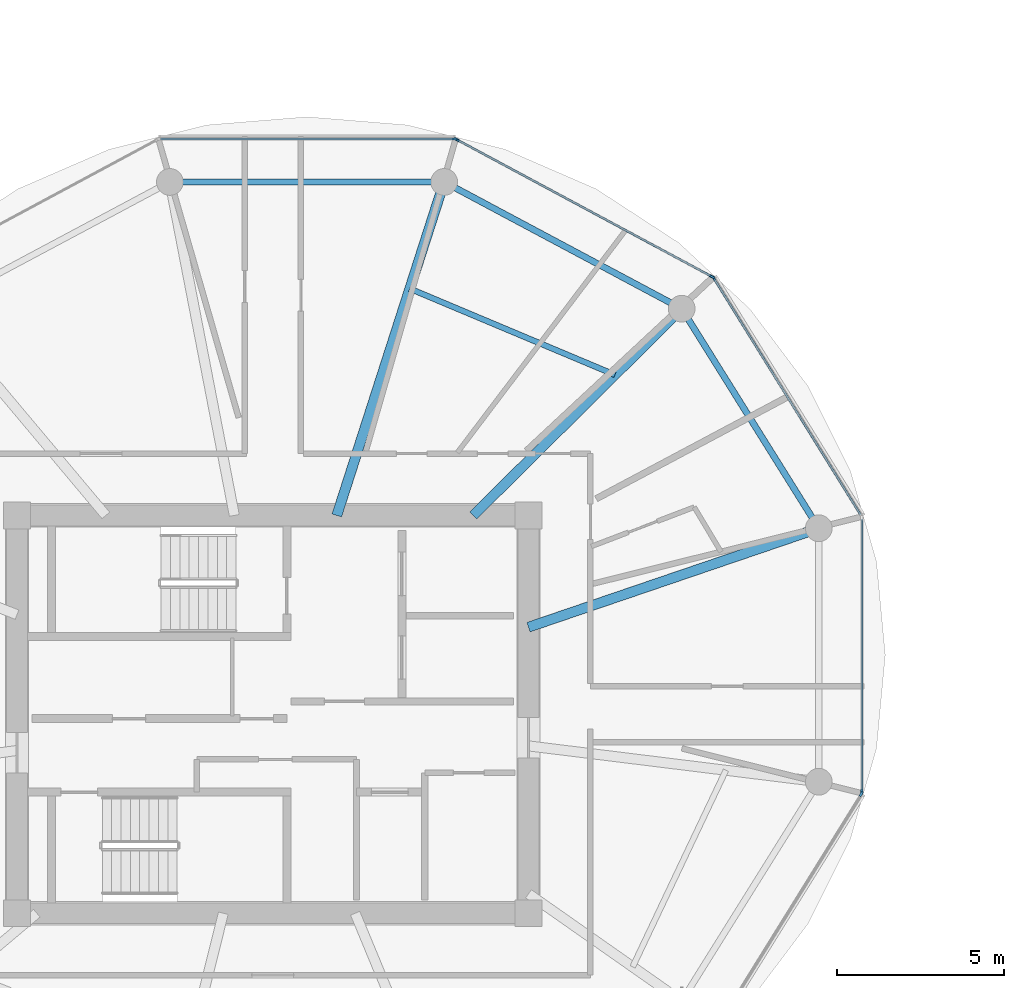
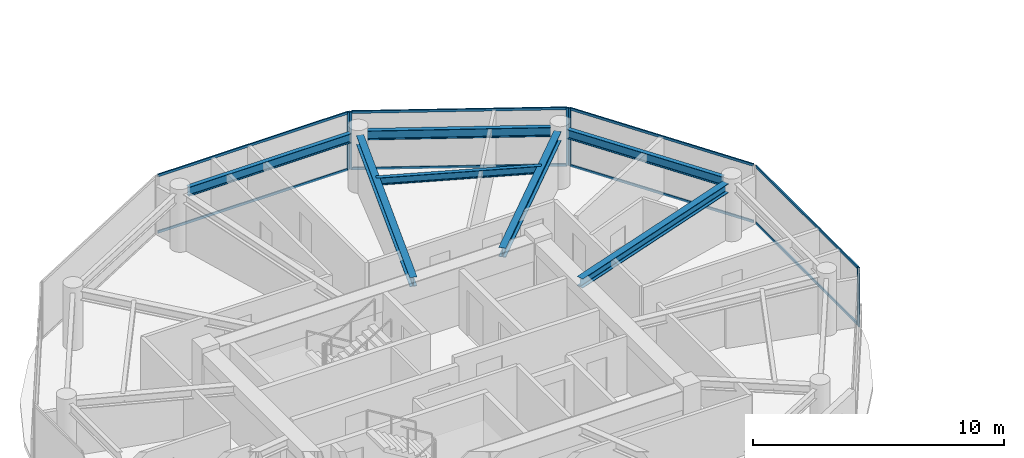
# One storey, part 5 of 23: 14 members, 7 beams, 5 elements without a shape of their own.
"""IFC4 building model written with IfcOpenShell, lengths in metres."""

from ifc_helpers import new_model, si_unit, direction, frame, origin, origin_2d, place, context, subcontext, project, spatial, rectangle, i_section, extrude, source, transform, mapped, material, layer, layer_set, material_profile, profile_set, type_object, type_shapes, element, aggregate, save


model = new_model("IFC4")

# Units and contexts
model_context = context("Model", 3, precision=1e-05, world=origin(), true_north=direction((0.0, 1.0)))
body_context = subcontext(model_context, "Body", "Model", "MODEL_VIEW")
ifc_project = project(units=[si_unit("LENGTHUNIT", "METRE"), si_unit("AREAUNIT", "SQUARE_METRE"), si_unit("VOLUMEUNIT", "CUBIC_METRE"), si_unit("PLANEANGLEUNIT", "RADIAN"), si_unit("MASSUNIT", "GRAM", prefix="KILO")], contexts=[model_context])

# Site, building, storey
site_placement = place(None, origin())
site = spatial("IfcSite", under=ifc_project, at=site_placement, CompositionType="ELEMENT")
building_placement = place(site_placement, origin())
building = spatial("IfcBuilding", under=site, at=building_placement, Name="Norrkilde Senior Care Towers", CompositionType="ELEMENT")
storey_placement = place(building_placement, frame((0.0, 0.0, 173.949951171875)))
storey = spatial("IfcBuildingStorey", under=building, at=storey_placement, Name="L54", CompositionType="ELEMENT", Elevation=173.949951171875)

# Beams
ifc_material_1 = material(Name="Steel S355", Category="steel")
ifc_material_profile_1 = material_profile(ifc_material_1, i_section(OverallWidth=0.18994140625, OverallDepth=0.449951171875, WebThickness=0.009521484375, FlangeThickness=0.0146484375, FilletRadius=0.02099609375, at=origin_2d()), Name="IPE 450")
ifc_profile_set_1 = profile_set([ifc_material_profile_1], Name="Steel S355")
beam_type_1 = type_object("IfcBeamType", Name="Perimeter Ring Spandrel Z3 IPE450", PredefinedType="SPANDREL", material=ifc_profile_set_1)
shared_shape_1 = source(origin(), body_context, "Body", "SweptSolid", [
    extrude(i_section(OverallWidth=0.18994140625, OverallDepth=0.449951171875, WebThickness=0.009521484375, FlangeThickness=0.0146484375, FilletRadius=0.02099609375, at=origin_2d()), origin(), (0.0, 0.0, 1.0), 7.0234375),
])
beam_1_placement = place(storey_placement, frame((-11.855712890625, 5.872314453125, 2.5849609375), z_axis=(-0.529789577822, 0.848129119433, 0.0), x_axis=(-0.848129119433, -0.529789577822, 0.0)))
element("IfcBeam", 1, at=beam_1_placement, inside=storey, type_object=beam_type_1, Name="L54 Drum W Perimeter Spandrel 01", PredefinedType="SPANDREL", context=body_context, shape_type="MappedRepresentation", body=[
    mapped(shared_shape_1, transform((0.0, 0.0, 0.0), x_axis=(1.0, 0.0, 0.0), y_axis=(0.0, 1.0, 0.0), z_axis=(0.0, 0.0, 1.0), scale=1.0)),
])
ifc_material_profile_2 = material_profile(ifc_material_1, i_section(OverallWidth=0.300048828125, OverallDepth=0.449951171875, WebThickness=0.013916015625, FlangeThickness=0.02587890625, FilletRadius=0.027099609375, at=origin_2d()), Name="HEB 450")
ifc_profile_set_2 = profile_set([ifc_material_profile_2], Name="Steel S355")
beam_type_2 = type_object("IfcBeamType", Name="Radial Floor Beam Z3 HEB450", PredefinedType="BEAM", material=ifc_profile_set_2)
shared_shape_2 = source(origin(), body_context, "Body", "SweptSolid", [
    extrude(i_section(OverallWidth=0.300048828125, OverallDepth=0.449951171875, WebThickness=0.013916015625, FlangeThickness=0.02587890625, FilletRadius=0.027099609375, at=origin_2d()), origin(), (0.0, 0.0, 1.0), 8.8154296875),
])
beam_2_placement = place(storey_placement, frame((-20.35009765625, 2.607177734375, 2.5849609375), z_axis=(0.946540556878, 0.322584832539, 0.0), x_axis=(-0.322584832539, 0.946540556878, 0.0)))
element("IfcBeam", 2, at=beam_2_placement, inside=storey, type_object=beam_type_2, Name="L54 Drum W Radial Floor Beam 01", PredefinedType="BEAM", context=body_context, shape_type="MappedRepresentation", body=[
    mapped(shared_shape_2, transform((0.0, 0.0, 0.0), x_axis=(1.0, 0.0, 0.0), y_axis=(0.0, 1.0, 0.0), z_axis=(0.0, 0.0, 1.0), scale=1.0)),
])
shared_shape_3 = source(origin(), body_context, "Body", "SweptSolid", [
    extrude(i_section(OverallWidth=0.18994140625, OverallDepth=0.449951171875, WebThickness=0.009521484375, FlangeThickness=0.0146484375, FilletRadius=0.02099609375, at=origin_2d()), origin(), (0.0, 0.0, 1.0), 7.333740234375),
])
beam_3_placement = place(storey_placement, frame((-16.0849609375, 12.303955078125, 2.5849609375), z_axis=(-0.882247866069, 0.470785198172, 0.0), x_axis=(-0.470785198172, -0.882247866069, 0.0)))
element("IfcBeam", 3, at=beam_3_placement, inside=storey, type_object=beam_type_1, Name="L54 Drum W Perimeter Spandrel 02", PredefinedType="SPANDREL", context=body_context, shape_type="MappedRepresentation", body=[
    mapped(shared_shape_3, transform((0.0, 0.0, 0.0), x_axis=(1.0, 0.0, 0.0), y_axis=(0.0, 1.0, 0.0), z_axis=(0.0, 0.0, 1.0), scale=1.0)),
])
shared_shape_4 = source(origin(), body_context, "Body", "SweptSolid", [
    extrude(i_section(OverallWidth=0.300048828125, OverallDepth=0.449951171875, WebThickness=0.013916015625, FlangeThickness=0.02587890625, FilletRadius=0.027099609375, at=origin_2d()), origin(), (0.0, 0.0, 1.0), 8.421630859375),
])
beam_4_placement = place(storey_placement, frame((-22.001953125, 5.949951171875, 2.5849609375), z_axis=(0.709956495972, 0.704245535184, 0.0), x_axis=(-0.704245535184, 0.709956495972, 0.0)))
element("IfcBeam", 4, at=beam_4_placement, inside=storey, type_object=beam_type_2, Name="L54 Drum W Radial Floor Beam 02", PredefinedType="BEAM", context=body_context, shape_type="MappedRepresentation", body=[
    mapped(shared_shape_4, transform((0.0, 0.0, 0.0), x_axis=(1.0, 0.0, 0.0), y_axis=(0.0, 1.0, 0.0), z_axis=(0.0, 0.0, 1.0), scale=1.0)),
])
shared_shape_5 = source(origin(), body_context, "Body", "SweptSolid", [
    extrude(i_section(OverallWidth=0.18994140625, OverallDepth=0.449951171875, WebThickness=0.009521484375, FlangeThickness=0.0146484375, FilletRadius=0.02099609375, at=origin_2d()), origin(), (0.0, 0.0, 1.0), 7.484619140625),
])
type_shapes(beam_type_1, [shared_shape_1, shared_shape_3, shared_shape_5])
beam_5_placement = place(storey_placement, frame((-23.232666015625, 15.92626953125, 2.5849609375), z_axis=(-1.0, 0.0, 0.0), x_axis=(0.0, -1.0, 0.0)))
element("IfcBeam", 5, at=beam_5_placement, inside=storey, type_object=beam_type_1, Name="L54 Drum W Perimeter Spandrel 03", PredefinedType="SPANDREL", context=body_context, shape_type="MappedRepresentation", body=[
    mapped(shared_shape_5, transform((0.0, 0.0, 0.0), x_axis=(1.0, 0.0, 0.0), y_axis=(0.0, 1.0, 0.0), z_axis=(0.0, 0.0, 1.0), scale=1.0)),
])
shared_shape_6 = source(origin(), body_context, "Body", "SweptSolid", [
    extrude(i_section(OverallWidth=0.300048828125, OverallDepth=0.449951171875, WebThickness=0.013916015625, FlangeThickness=0.02587890625, FilletRadius=0.027099609375, at=origin_2d()), origin(), (0.0, 0.0, 1.0), 10.120361328125),
])
type_shapes(beam_type_2, [shared_shape_2, shared_shape_4, shared_shape_6])
beam_6_placement = place(storey_placement, frame((-26.08447265625, 5.949951171875, 2.5849609375), z_axis=(0.306440973744, 0.951889662519, 0.0), x_axis=(-0.951889662519, 0.306440973744, 0.0)))
element("IfcBeam", 6, at=beam_6_placement, inside=storey, type_object=beam_type_2, Name="L54 Drum W Radial Floor Beam 03", PredefinedType="BEAM", context=body_context, shape_type="MappedRepresentation", body=[
    mapped(shared_shape_6, transform((0.0, 0.0, 0.0), x_axis=(1.0, 0.0, 0.0), y_axis=(0.0, 1.0, 0.0), z_axis=(0.0, 0.0, 1.0), scale=1.0)),
])
ifc_material_profile_3 = material_profile(ifc_material_1, i_section(OverallWidth=0.169921875, OverallDepth=0.360107421875, WebThickness=0.008056640625, FlangeThickness=0.0126953125, FilletRadius=0.01806640625, at=origin_2d()), Name="IPE 360")
ifc_profile_set_3 = profile_set([ifc_material_profile_3], Name="Steel S355")
beam_type_3 = type_object("IfcBeamType", Name="Secondary Floor Joist IPE360", PredefinedType="JOIST", material=ifc_profile_set_3)
shared_shape_7 = source(origin(), body_context, "Body", "SweptSolid", [
    extrude(i_section(OverallWidth=0.169921875, OverallDepth=0.360107421875, WebThickness=0.008056640625, FlangeThickness=0.0126953125, FilletRadius=0.01806640625, at=origin_2d()), origin(), (0.0, 0.0, 1.0), 6.657470703125),
])
type_shapes(beam_type_3, [shared_shape_7])
beam_7_placement = place(storey_placement, frame((-17.762451171875, 10.155517578125, 2.630126953125), z_axis=(-0.921958799252, 0.387287971, 0.0), x_axis=(-0.387287971, -0.921958799252, 0.0)))
element("IfcBeam", 7, at=beam_7_placement, inside=storey, type_object=beam_type_3, Name="L54 Drum W Secondary Floor Joist 1", PredefinedType="JOIST", context=body_context, shape_type="MappedRepresentation", body=[
    mapped(shared_shape_7, transform((0.0, 0.0, 0.0), x_axis=(1.0, 0.0, 0.0), y_axis=(0.0, 1.0, 0.0), z_axis=(0.0, 0.0, 1.0), scale=1.0)),
])

# Curtain wall, member
ifc_material_2 = material(Name="Triple Low-E Insulated Glazing", Category="glass")
ifc_layer = layer(ifc_material_2, 0.18994140625)
ifc_layer_set = layer_set([ifc_layer], Name="Triple Low-E Insulated Glazing")
curtain_wall_type = type_object("IfcCurtainWallType", Name="CW4 Zone 3 Senior Residence Curtain Wall", PredefinedType="NOTDEFINED", material=ifc_layer_set)
curtain_wall_1_placement = place(storey_placement, origin())
curtain_wall_1 = element("IfcCurtainWall", 8, at=curtain_wall_1_placement, inside=storey, type_object=curtain_wall_type, Name="L54 Drum W Curtain Wall 00", PredefinedType="NOTDEFINED")
ifc_material_3 = material(Name="Anodised Aluminium", Category="aluminium")
ifc_material_profile_4 = material_profile(ifc_material_3, rectangle(XDim=0.06494140625, YDim=0.14990234375, at=origin_2d()), Name="ALU MULL 65x150")
ifc_profile_set_4 = profile_set([ifc_material_profile_4], Name="Anodised Aluminium")
member_type_1 = type_object("IfcMemberType", Name="Curtain Wall Mullion Z3-Z4 65x150", PredefinedType="MULLION", material=ifc_profile_set_4)
shared_shape_8 = source(origin(), body_context, "Body", "SweptSolid", [
    extrude(rectangle(XDim=0.06494140625, YDim=0.14990234375, at=origin_2d()), origin(), (0.0, 0.0, 1.0), 2.81005859375),
])
type_shapes(member_type_1, [shared_shape_8])
member_1_placement = place(storey_placement, frame((-14.809814453125, 13.04736328125, 0.0), z_axis=(0.0, 0.0, 1.0), x_axis=(0.84963405474, 0.52737270789, 0.0)))
member_1 = element("IfcMember", 9, at=member_1_placement, type_object=member_type_1, Name="CW-4 mullion 1", PredefinedType="MULLION", context=body_context, shape_type="MappedRepresentation", body=[
    mapped(shared_shape_8, transform((0.0, 0.0, 0.0), x_axis=(1.0, 0.0, 0.0), y_axis=(0.0, 1.0, 0.0), z_axis=(0.0, 0.0, 1.0), scale=1.0)),
])

# Curtain wall, members
curtain_wall_2_placement = place(storey_placement, origin())
curtain_wall_2 = element("IfcCurtainWall", 10, at=curtain_wall_2_placement, inside=storey, type_object=curtain_wall_type, Name="L54 Drum W Curtain Wall 01", PredefinedType="NOTDEFINED")
member_2_placement = place(storey_placement, frame((-22.499755859375, 17.195556640625, 0.0), z_axis=(0.0, 0.0, 1.0), x_axis=(0.47311715104, 0.880999524059, 0.0)))
member_2 = element("IfcMember", 11, at=member_2_placement, type_object=member_type_1, Name="CW-4 mullion 1", PredefinedType="MULLION", context=body_context, shape_type="MappedRepresentation", body=[
    mapped(shared_shape_8, transform((0.0, 0.0, 0.0), x_axis=(1.0, 0.0, 0.0), y_axis=(0.0, 1.0, 0.0), z_axis=(0.0, 0.0, 1.0), scale=1.0)),
])
member_3_placement = place(storey_placement, frame((-14.85546875, 13.09033203125, 0.0), z_axis=(0.0, 0.0, 1.0), x_axis=(0.47311715104, 0.880999524059, 0.0)))
member_3 = element("IfcMember", 12, at=member_3_placement, type_object=member_type_1, Name="CW-4 mullion 2", PredefinedType="MULLION", context=body_context, shape_type="MappedRepresentation", body=[
    mapped(shared_shape_8, transform((0.0, 0.0, 0.0), x_axis=(1.0, 0.0, 0.0), y_axis=(0.0, 1.0, 0.0), z_axis=(0.0, 0.0, 1.0), scale=1.0)),
])

# Curtain wall, member
curtain_wall_3_placement = place(storey_placement, origin())
curtain_wall_3 = element("IfcCurtainWall", 13, at=curtain_wall_3_placement, inside=storey, type_object=curtain_wall_type, Name="L54 Drum W Curtain Wall 02", PredefinedType="NOTDEFINED")
member_4_placement = place(storey_placement, frame((-22.56103515625, 17.2109375, 0.0), z_axis=(0.0, 0.0, 1.0), x_axis=(0.0, 1.0, 0.0)))
member_4 = element("IfcMember", 14, at=member_4_placement, type_object=member_type_1, Name="CW-4 mullion 2", PredefinedType="MULLION", context=body_context, shape_type="MappedRepresentation", body=[
    mapped(shared_shape_8, transform((0.0, 0.0, 0.0), x_axis=(1.0, 0.0, 0.0), y_axis=(0.0, 1.0, 0.0), z_axis=(0.0, 0.0, 1.0), scale=1.0)),
])

curtain_wall_4_placement = place(storey_placement, origin())
curtain_wall_4 = element("IfcCurtainWall", 15, at=curtain_wall_4_placement, inside=storey, type_object=curtain_wall_type, Name="L54 Drum W Curtain Wall 10", PredefinedType="NOTDEFINED")
member_5_placement = place(storey_placement, frame((-10.3974609375, -2.38818359375, 0.0), z_axis=(0.0, 0.0, 1.0), x_axis=(0.84963405474, -0.52737270789, 0.0)))
member_5 = element("IfcMember", 16, at=member_5_placement, type_object=member_type_1, Name="CW-4 mullion 1", PredefinedType="MULLION", context=body_context, shape_type="MappedRepresentation", body=[
    mapped(shared_shape_8, transform((0.0, 0.0, 0.0), x_axis=(1.0, 0.0, 0.0), y_axis=(0.0, 1.0, 0.0), z_axis=(0.0, 0.0, 1.0), scale=1.0)),
])
aggregate(curtain_wall_4, [member_5])

curtain_wall_5_placement = place(storey_placement, origin())
curtain_wall_5 = element("IfcCurtainWall", 17, at=curtain_wall_5_placement, inside=storey, type_object=curtain_wall_type, Name="L54 Drum W Curtain Wall 11", PredefinedType="NOTDEFINED")
member_6_placement = place(storey_placement, frame((-10.38037109375, -2.328125, 0.0), z_axis=(0.0, 0.0, 1.0), x_axis=(1.0, 0.0, 0.0)))
member_6 = element("IfcMember", 18, at=member_6_placement, type_object=member_type_1, Name="CW-4 mullion 2", PredefinedType="MULLION", context=body_context, shape_type="MappedRepresentation", body=[
    mapped(shared_shape_8, transform((0.0, 0.0, 0.0), x_axis=(1.0, 0.0, 0.0), y_axis=(0.0, 1.0, 0.0), z_axis=(0.0, 0.0, 1.0), scale=1.0)),
])

# Member
ifc_material_profile_5 = material_profile(ifc_material_3, rectangle(XDim=0.06005859375, YDim=0.1201171875, at=origin_2d()), Name="ALU TRAN 60x120")
ifc_profile_set_5 = profile_set([ifc_material_profile_5], Name="Anodised Aluminium")
member_type_2 = type_object("IfcMemberType", Name="Curtain Wall Transom Typical 60x120", PredefinedType="USERDEFINED", material=ifc_profile_set_5)
shared_shape_9 = source(origin(), body_context, "Body", "SweptSolid", [
    extrude(rectangle(XDim=0.06005859375, YDim=0.1201171875, at=origin_2d()), origin(), (0.0, 0.0, 1.0), 8.301513671875),
])
member_7_placement = place(storey_placement, frame((-14.792724609375, 13.019775390625, 0.030029296875), z_axis=(0.527368718394, -0.849636531029, 0.0), x_axis=(0.849636531029, 0.527368718394, 0.0)))
member_7 = element("IfcMember", 19, at=member_7_placement, type_object=member_type_2, Name="CW-4 transom 1.1", ObjectType="TRANSOM", PredefinedType="USERDEFINED", context=body_context, shape_type="MappedRepresentation", body=[
    mapped(shared_shape_9, transform((0.0, 0.0, 0.0), x_axis=(1.0, 0.0, 0.0), y_axis=(0.0, 1.0, 0.0), z_axis=(0.0, 0.0, 1.0), scale=1.0)),
])

member_8_placement = place(storey_placement, frame((-14.792724609375, 13.019775390625, 2.780029296875), z_axis=(0.527368718394, -0.849636531029, 0.0), x_axis=(0.849636531029, 0.527368718394, 0.0)))
member_8 = element("IfcMember", 20, at=member_8_placement, type_object=member_type_2, Name="CW-4 transom 1.2", ObjectType="TRANSOM", PredefinedType="USERDEFINED", context=body_context, shape_type="MappedRepresentation", body=[
    mapped(shared_shape_9, transform((0.0, 0.0, 0.0), x_axis=(1.0, 0.0, 0.0), y_axis=(0.0, 1.0, 0.0), z_axis=(0.0, 0.0, 1.0), scale=1.0)),
])

aggregate(curtain_wall_1, [member_1, member_7, member_8])

shared_shape_10 = source(origin(), body_context, "Body", "SweptSolid", [
    extrude(rectangle(XDim=0.06005859375, YDim=0.1201171875, at=origin_2d()), origin(), (0.0, 0.0, 1.0), 8.61181640625),
])
member_9_placement = place(storey_placement, frame((-22.47119140625, 17.18017578125, 0.030029296875), z_axis=(0.880993991641, -0.473127452906, 0.0), x_axis=(0.473127452906, 0.880993991641, 0.0)))
member_9 = element("IfcMember", 21, at=member_9_placement, type_object=member_type_2, Name="CW-4 transom 1.1", ObjectType="TRANSOM", PredefinedType="USERDEFINED", context=body_context, shape_type="MappedRepresentation", body=[
    mapped(shared_shape_10, transform((0.0, 0.0, 0.0), x_axis=(1.0, 0.0, 0.0), y_axis=(0.0, 1.0, 0.0), z_axis=(0.0, 0.0, 1.0), scale=1.0)),
])

member_10_placement = place(storey_placement, frame((-22.47119140625, 17.18017578125, 2.780029296875), z_axis=(0.880993991641, -0.473127452906, 0.0), x_axis=(0.473127452906, 0.880993991641, 0.0)))
member_10 = element("IfcMember", 22, at=member_10_placement, type_object=member_type_2, Name="CW-4 transom 1.2", ObjectType="TRANSOM", PredefinedType="USERDEFINED", context=body_context, shape_type="MappedRepresentation", body=[
    mapped(shared_shape_10, transform((0.0, 0.0, 0.0), x_axis=(1.0, 0.0, 0.0), y_axis=(0.0, 1.0, 0.0), z_axis=(0.0, 0.0, 1.0), scale=1.0)),
])

aggregate(curtain_wall_2, [member_2, member_3, member_9, member_10])

shared_shape_11 = source(origin(), body_context, "Body", "SweptSolid", [
    extrude(rectangle(XDim=0.06005859375, YDim=0.1201171875, at=origin_2d()), origin(), (0.0, 0.0, 1.0), 8.762939453125),
])
member_11_placement = place(storey_placement, frame((-31.3564453125, 17.2109375, 0.030029296875), z_axis=(1.0, 0.0, 0.0), x_axis=(0.0, 1.0, 0.0)))
member_11 = element("IfcMember", 23, at=member_11_placement, type_object=member_type_2, Name="CW-4 transom 1.1", ObjectType="TRANSOM", PredefinedType="USERDEFINED", context=body_context, shape_type="MappedRepresentation", body=[
    mapped(shared_shape_11, transform((0.0, 0.0, 0.0), x_axis=(1.0, 0.0, 0.0), y_axis=(0.0, 1.0, 0.0), z_axis=(0.0, 0.0, 1.0), scale=1.0)),
])

member_12_placement = place(storey_placement, frame((-31.3564453125, 17.2109375, 2.780029296875), z_axis=(1.0, 0.0, 0.0), x_axis=(0.0, 1.0, 0.0)))
member_12 = element("IfcMember", 24, at=member_12_placement, type_object=member_type_2, Name="CW-4 transom 1.2", ObjectType="TRANSOM", PredefinedType="USERDEFINED", context=body_context, shape_type="MappedRepresentation", body=[
    mapped(shared_shape_11, transform((0.0, 0.0, 0.0), x_axis=(1.0, 0.0, 0.0), y_axis=(0.0, 1.0, 0.0), z_axis=(0.0, 0.0, 1.0), scale=1.0)),
])

aggregate(curtain_wall_3, [member_4, member_11, member_12])

shared_shape_12 = source(origin(), body_context, "Body", "SweptSolid", [
    extrude(rectangle(XDim=0.06005859375, YDim=0.1201171875, at=origin_2d()), origin(), (0.0, 0.0, 1.0), 8.141845703125),
])
type_shapes(member_type_2, [shared_shape_9, shared_shape_10, shared_shape_11, shared_shape_12])
member_13_placement = place(storey_placement, frame((-10.38037109375, 5.84619140625, 0.030029296875), z_axis=(0.0, -1.0, 0.0), x_axis=(1.0, 0.0, 0.0)))
member_13 = element("IfcMember", 25, at=member_13_placement, type_object=member_type_2, Name="CW-4 transom 1.1", ObjectType="TRANSOM", PredefinedType="USERDEFINED", context=body_context, shape_type="MappedRepresentation", body=[
    mapped(shared_shape_12, transform((0.0, 0.0, 0.0), x_axis=(1.0, 0.0, 0.0), y_axis=(0.0, 1.0, 0.0), z_axis=(0.0, 0.0, 1.0), scale=1.0)),
])

member_14_placement = place(storey_placement, frame((-10.38037109375, 5.84619140625, 2.780029296875), z_axis=(0.0, -1.0, 0.0), x_axis=(1.0, 0.0, 0.0)))
member_14 = element("IfcMember", 26, at=member_14_placement, type_object=member_type_2, Name="CW-4 transom 1.2", ObjectType="TRANSOM", PredefinedType="USERDEFINED", context=body_context, shape_type="MappedRepresentation", body=[
    mapped(shared_shape_12, transform((0.0, 0.0, 0.0), x_axis=(1.0, 0.0, 0.0), y_axis=(0.0, 1.0, 0.0), z_axis=(0.0, 0.0, 1.0), scale=1.0)),
])

aggregate(curtain_wall_5, [member_6, member_13, member_14])

save(model, "model.ifc")
